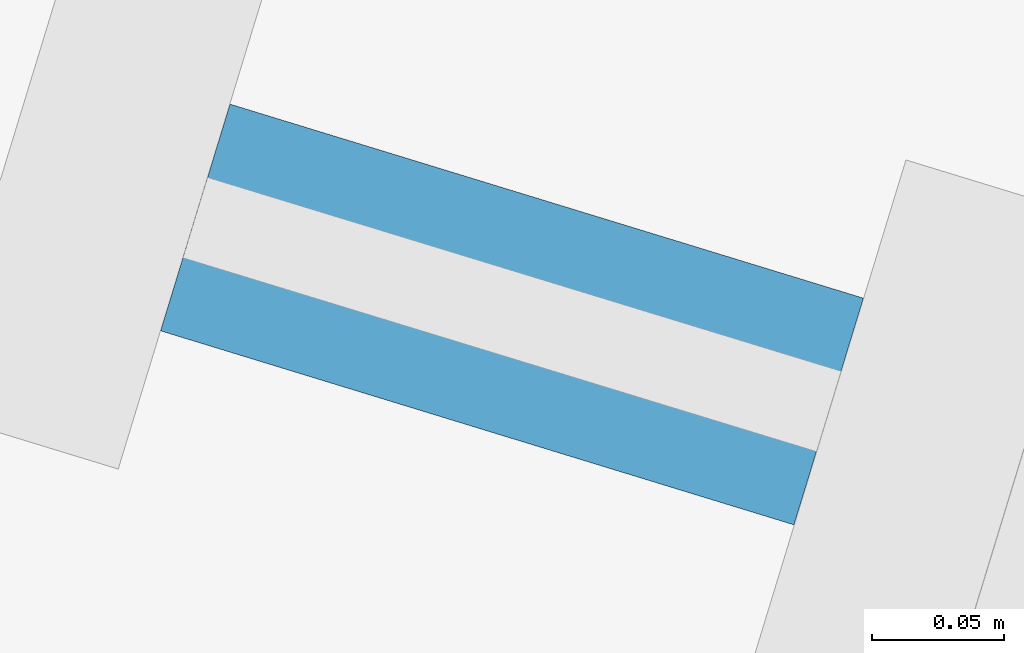
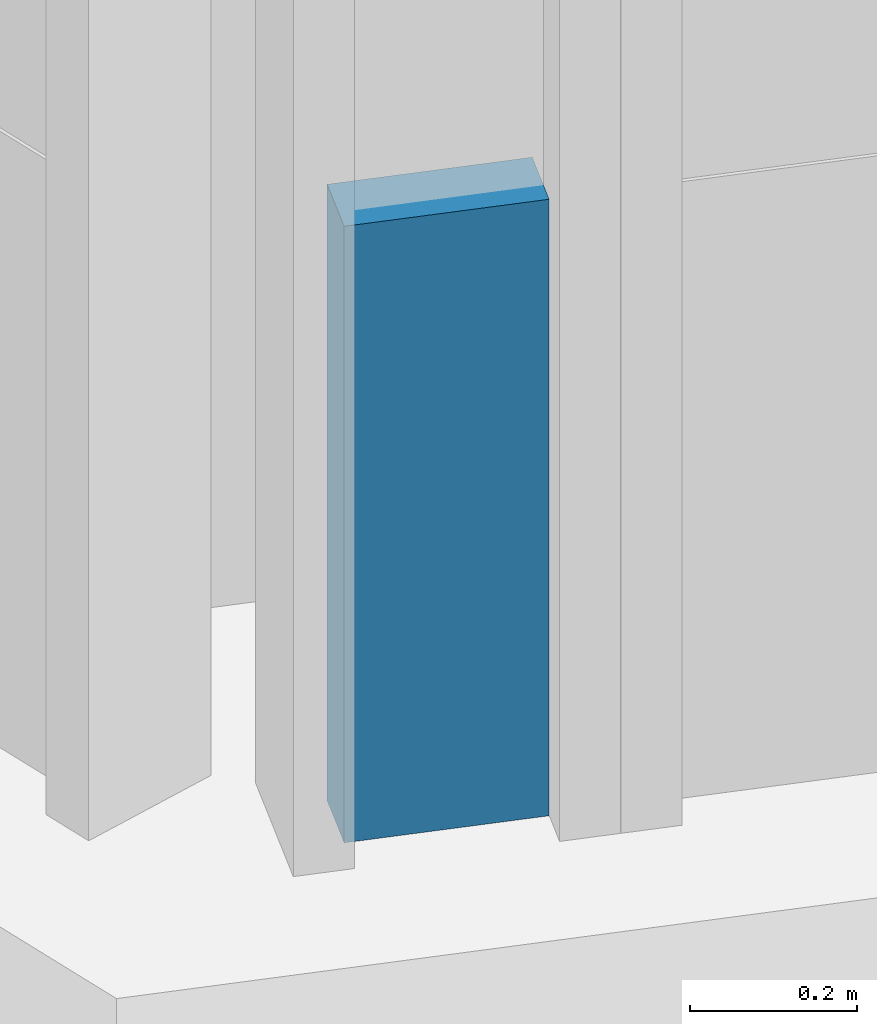
# One storey, part 11 of 25: 1 member, 1 element without a shape of its own.
"""IFC4 building model written with IfcOpenShell, lengths in metres."""

from ifc_helpers import new_model, si_unit, direction, frame, origin, origin_2d, place, context, subcontext, project, spatial, rectangle, extrude, source, transform, mapped, material, material_profile, profile_set, type_object, element, aggregate, save


model = new_model("IFC4")

# Units and contexts
model_context = context("Model", 3, precision=1e-05, world=origin(), true_north=direction((0.0, 1.0)))
body_context = subcontext(model_context, "Body", "Model", "MODEL_VIEW")
ifc_project = project(units=[si_unit("LENGTHUNIT", "METRE"), si_unit("AREAUNIT", "SQUARE_METRE"), si_unit("VOLUMEUNIT", "CUBIC_METRE"), si_unit("PLANEANGLEUNIT", "RADIAN"), si_unit("MASSUNIT", "GRAM", prefix="KILO")], contexts=[model_context])

# Site, building, storey
site_placement = place(None, origin())
site = spatial("IfcSite", under=ifc_project, at=site_placement, CompositionType="ELEMENT")
building_placement = place(site_placement, origin())
building = spatial("IfcBuilding", under=site, at=building_placement, Name="Triune Harvest Tower", CompositionType="ELEMENT")
storey_placement = place(building_placement, frame((0.0, 0.0, 130.699951171875)))
storey = spatial("IfcBuildingStorey", under=building, at=storey_placement, Name="L33", CompositionType="ELEMENT", Elevation=130.699951171875)

# Curtain wall, member
ifc_material_1 = material(Name="Aluminium bronze anodised", Category="aluminium")
curtain_wall_type = type_object("IfcCurtainWallType", Name="CW-1 Tower stick curtain wall", PredefinedType="NOTDEFINED", material=ifc_material_1)
curtain_wall_placement = place(storey_placement, origin())
curtain_wall = element("IfcCurtainWall", 1, at=curtain_wall_placement, inside=storey, type_object=curtain_wall_type, Name="CW-1 B3-F5 L33 run 1")
ifc_material_2 = material(Name="Aluminium bronze anodised", Category="aluminium")
ifc_material_profile = material_profile(ifc_material_2, rectangle(XDim=0.090087890625, YDim=0.89990234375, at=origin_2d()), Name="TR-1 transom 90 x 900")
ifc_profile_set = profile_set([ifc_material_profile], Name="Aluminium bronze anodised")
member_type = type_object("IfcMemberType", Name="TR-1 transom 90 x 900", PredefinedType="USERDEFINED", material=ifc_profile_set)
shared_shape = source(origin(), body_context, "Body", "SweptSolid", [
    extrude(rectangle(XDim=0.090087890625, YDim=0.89990234375, at=origin_2d()), origin(), (0.0, 0.0, 1.0), 0.251708984375),
])
member_placement = place(storey_placement, frame((-31.26025390625, -13.47314453125, 0.449951171875), z_axis=(0.956155630831, -0.292859026887, 0.0), x_axis=(0.292859026887, 0.956155630831, 0.0)))
member = element("IfcMember", 2, at=member_placement, type_object=member_type, Name="CW-1 transom B3-F5 1.1", ObjectType="TRANSOM", PredefinedType="USERDEFINED", context=body_context, shape_type="MappedRepresentation", body=[
    mapped(shared_shape, transform((0.0, 0.0, 0.0), scale=1.0)),
])
aggregate(curtain_wall, [member])

save(model, "model.ifc")
